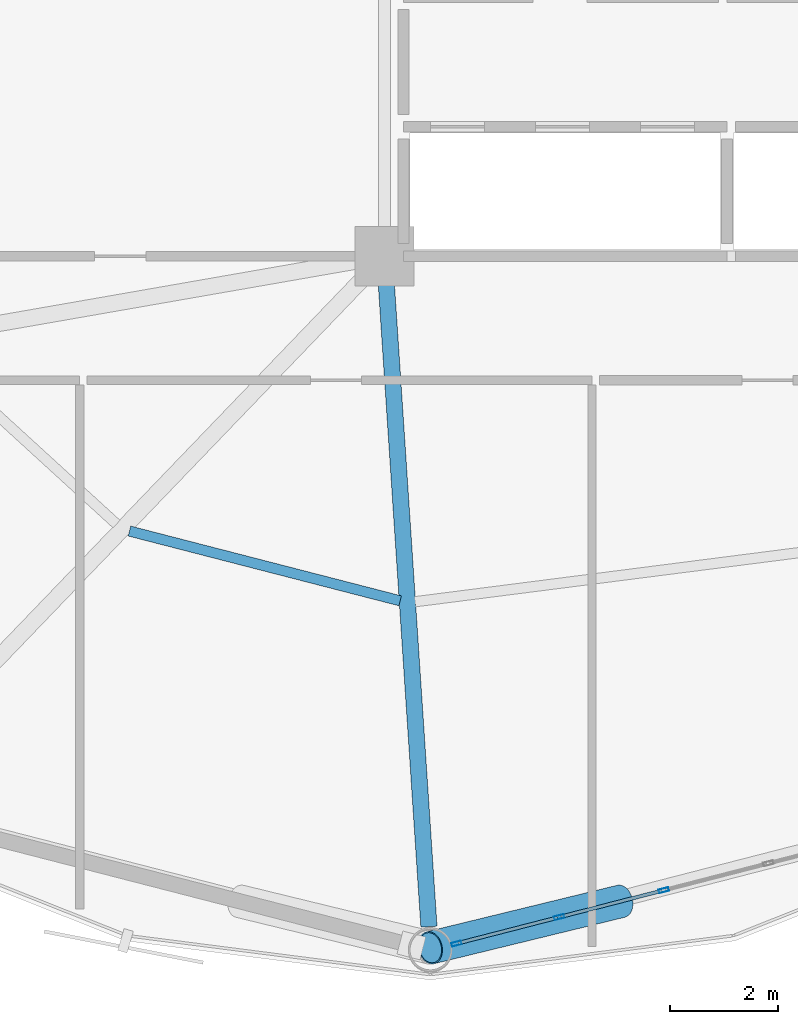
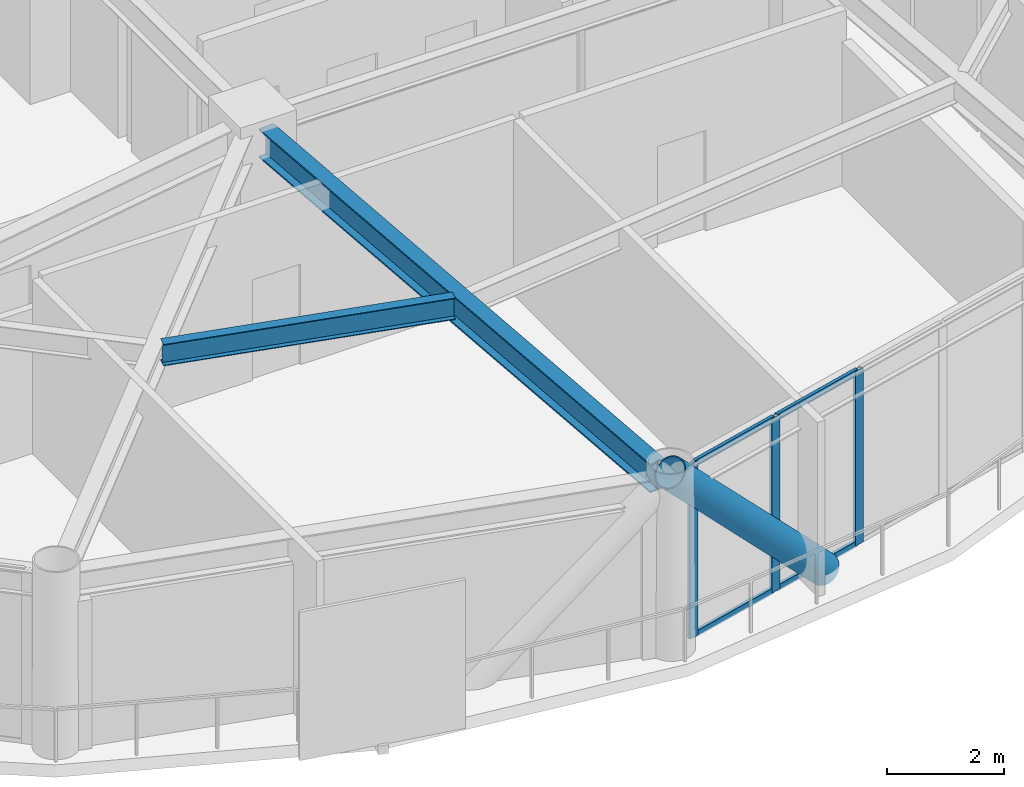
# One storey, part 6 of 24: 8 members, 2 beams, 1 element without a shape of its own.
"""IFC4 building model written with IfcOpenShell, lengths in metres."""

from ifc_helpers import new_model, si_unit, direction, frame, origin, origin_2d, place, context, subcontext, project, spatial, hollow_rectangle, hollow_circle, i_section, extrude, material, layer, layer_set, material_profile, profile_set, type_object, element, aggregate, save


model = new_model("IFC4")

# Units and contexts
model_context = context("Model", 3, precision=1e-05, world=origin(), true_north=direction((0.0, 1.0)))
body_context = subcontext(model_context, "Body", "Model", "MODEL_VIEW")
ifc_project = project(units=[si_unit("LENGTHUNIT", "METRE"), si_unit("AREAUNIT", "SQUARE_METRE"), si_unit("VOLUMEUNIT", "CUBIC_METRE"), si_unit("PLANEANGLEUNIT", "RADIAN"), si_unit("MASSUNIT", "GRAM", prefix="KILO")], contexts=[model_context])

# Site, building, storey
site_placement = place(None, origin())
site = spatial("IfcSite", under=ifc_project, at=site_placement, CompositionType="ELEMENT")
building_placement = place(site_placement, origin())
building = spatial("IfcBuilding", under=site, at=building_placement, Name="Varnakorn Sky Granary", CompositionType="ELEMENT")
storey_placement = place(building_placement, frame((0.0, 0.0, 118.800048828125)))
storey = spatial("IfcBuildingStorey", under=building, at=storey_placement, Name="L29", CompositionType="ELEMENT", Elevation=118.800048828125)

# Beams
ifc_material_1 = material(Name="Steel S355JR", Category="steel")
ifc_material_profile_1 = material_profile(ifc_material_1, i_section(OverallWidth=0.300048828125, OverallDepth=0.60009765625, WebThickness=0.015380859375, FlangeThickness=0.030029296875, at=origin_2d()), Name="HE 600 B")
ifc_profile_set_1 = profile_set([ifc_material_profile_1], Name="Steel S355JR")
beam_type_1 = type_object("IfcBeamType", Name="BM-RAD-Z2", PredefinedType="BEAM", material=ifc_profile_set_1)
beam_1_placement = place(storey_placement, frame((-2.322265625, -7.01904296875, 3.33984375), z_axis=(0.066156907963, -0.997809232032, 0.0), x_axis=(0.997809232032, 0.066156907963, 0.0)))
element("IfcBeam", 1, at=beam_1_placement, inside=storey, type_object=beam_type_1, Name="Radial Floor Girder RG10 L29", PredefinedType="BEAM", context=body_context, shape_type="SweptSolid", body=[
    extrude(i_section(OverallWidth=0.300048828125, OverallDepth=0.60009765625, WebThickness=0.015380859375, FlangeThickness=0.030029296875, at=origin_2d()), origin(), (0.0, 0.0, 1.0), 12.037841796875),
])
ifc_material_profile_2 = material_profile(ifc_material_1, i_section(OverallWidth=0.18994140625, OverallDepth=0.449951171875, WebThickness=0.009521484375, FlangeThickness=0.0146484375, at=origin_2d()), Name="IPE 450")
ifc_profile_set_2 = profile_set([ifc_material_profile_2], Name="Steel S355JR")
beam_type_2 = type_object("IfcBeamType", Name="BM-SEC-Z2", PredefinedType="BEAM", material=ifc_profile_set_2)
beam_2_placement = place(storey_placement, frame((-7.077880859375, -11.6962890625, 3.4150390625), z_axis=(0.968351554294, -0.249590198718, 0.0), x_axis=(0.249590198718, 0.968351554294, 0.0)))
element("IfcBeam", 2, at=beam_2_placement, inside=storey, type_object=beam_type_2, Name="Secondary Floor Chord Beam MSB09 L29", PredefinedType="BEAM", context=body_context, shape_type="SweptSolid", body=[
    extrude(i_section(OverallWidth=0.18994140625, OverallDepth=0.449951171875, WebThickness=0.009521484375, FlangeThickness=0.0146484375, at=origin_2d()), origin(), (0.0, 0.0, 1.0), 5.182373046875),
])

# Curtain wall, members
ifc_material_2 = material(Name="Anodised Bronze Aluminium Alloy 6063-T6", Category="aluminium")
ifc_layer = layer(ifc_material_2, 0.179931640625, Name="Anodised Bronze Aluminium Alloy 6063-T6")
ifc_layer_set = layer_set([ifc_layer], Name="Anodised Bronze Aluminium Alloy 6063-T6")
curtain_wall_type = type_object("IfcCurtainWallType", Name="CW-FRM-2", PredefinedType="USERDEFINED", material=ifc_layer_set)
curtain_wall_placement = place(storey_placement, origin())
curtain_wall = element("IfcCurtainWall", 3, at=curtain_wall_placement, inside=storey, type_object=curtain_wall_type, Name="Unitised Curtain Wall CW4 CW-L29-B10", ObjectType="CURTAIN WALL", PredefinedType="USERDEFINED")
ifc_material_profile_3 = material_profile(ifc_material_2, hollow_rectangle(XDim=0.070068359375, YDim=0.18505859375, WallThickness=0.00390625, at=origin_2d()), Name="ALU MULL 70x185")
ifc_profile_set_3 = profile_set([ifc_material_profile_3], Name="Anodised Bronze Aluminium Alloy 6063-T6")
member_type_1 = type_object("IfcMemberType", Name="CW-FRM-2-MULL", PredefinedType="MULLION", material=ifc_profile_set_3)
member_1_placement = place(storey_placement, frame((2.82666015625, -18.355712890625, 0.0), z_axis=(0.0, 0.0, 1.0), x_axis=(0.249196159106, -0.968453031534, 0.0)))
member_1 = element("IfcMember", 4, at=member_1_placement, type_object=member_type_1, Name="CW4 mullion 4", PredefinedType="MULLION", context=body_context, shape_type="SweptSolid", body=[
    extrude(hollow_rectangle(XDim=0.070068359375, YDim=0.18505859375, WallThickness=0.00390625, at=origin_2d()), origin(), (0.0, 0.0, 1.0), 3.639892578125),
])
member_2_placement = place(storey_placement, frame((0.88916015625, -18.854248046875, 0.0), z_axis=(0.0, 0.0, 1.0), x_axis=(0.249196159106, -0.968453031534, 0.0)))
member_2 = element("IfcMember", 5, at=member_2_placement, type_object=member_type_1, Name="CW4 mullion 5", PredefinedType="MULLION", context=body_context, shape_type="SweptSolid", body=[
    extrude(hollow_rectangle(XDim=0.070068359375, YDim=0.18505859375, WallThickness=0.00390625, at=origin_2d()), origin(), (0.0, 0.0, 1.0), 3.639892578125),
])
member_3_placement = place(storey_placement, frame((-1.014404296875, -19.343994140625, 0.0), z_axis=(0.0, 0.0, 1.0), x_axis=(0.249196159106, -0.968453031534, 0.0)))
member_3 = element("IfcMember", 6, at=member_3_placement, type_object=member_type_1, Name="CW4 mullion 6", PredefinedType="MULLION", context=body_context, shape_type="SweptSolid", body=[
    extrude(hollow_rectangle(XDim=0.070068359375, YDim=0.18505859375, WallThickness=0.00390625, at=origin_2d()), origin(), (0.0, 0.0, 1.0), 3.639892578125),
])
ifc_material_profile_4 = material_profile(ifc_material_2, hollow_rectangle(XDim=0.06494140625, YDim=0.1201171875, WallThickness=0.00341796875, at=origin_2d()), Name="ALU TRAN 65x120")
ifc_profile_set_4 = profile_set([ifc_material_profile_4], Name="Anodised Bronze Aluminium Alloy 6063-T6")
member_type_2 = type_object("IfcMemberType", Name="CW-FRM-2-TRAN", PredefinedType="USERDEFINED", material=ifc_profile_set_4)
member_4_placement = place(storey_placement, frame((2.79296875, -18.3642578125, 0.032470703125), z_axis=(-0.968445861329, -0.249224023068, 0.0), x_axis=(0.249224023068, -0.968445861329, 0.0)))
member_4 = element("IfcMember", 7, at=member_4_placement, type_object=member_type_2, Name="CW4 transom 4.1", ObjectType="TRANSOM", PredefinedType="USERDEFINED", context=body_context, shape_type="SweptSolid", body=[
    extrude(hollow_rectangle(XDim=0.06494140625, YDim=0.1201171875, WallThickness=0.00341796875, at=origin_2d()), origin(), (0.0, 0.0, 1.0), 1.930908203125),
])
member_5_placement = place(storey_placement, frame((2.79296875, -18.3642578125, 3.607421875), z_axis=(-0.968445861329, -0.249224023068, 0.0), x_axis=(0.249224023068, -0.968445861329, 0.0)))
member_5 = element("IfcMember", 8, at=member_5_placement, type_object=member_type_2, Name="CW4 transom 4.2", ObjectType="TRANSOM", PredefinedType="USERDEFINED", context=body_context, shape_type="SweptSolid", body=[
    extrude(hollow_rectangle(XDim=0.06494140625, YDim=0.1201171875, WallThickness=0.00341796875, at=origin_2d()), origin(), (0.0, 0.0, 1.0), 1.930908203125),
])
member_6_placement = place(storey_placement, frame((0.85546875, -18.86279296875, 0.032470703125), z_axis=(-0.96845298341, -0.24919634613, 0.0), x_axis=(0.24919634613, -0.96845298341, 0.0)))
member_6 = element("IfcMember", 9, at=member_6_placement, type_object=member_type_2, Name="CW4 transom 5.1", ObjectType="TRANSOM", PredefinedType="USERDEFINED", context=body_context, shape_type="SweptSolid", body=[
    extrude(hollow_rectangle(XDim=0.06494140625, YDim=0.1201171875, WallThickness=0.00341796875, at=origin_2d()), origin(), (0.0, 0.0, 1.0), 1.895751953125),
])
member_7_placement = place(storey_placement, frame((0.85546875, -18.86279296875, 3.607421875), z_axis=(-0.96845298341, -0.24919634613, 0.0), x_axis=(0.24919634613, -0.96845298341, 0.0)))
member_7 = element("IfcMember", 10, at=member_7_placement, type_object=member_type_2, Name="CW4 transom 5.2", ObjectType="TRANSOM", PredefinedType="USERDEFINED", context=body_context, shape_type="SweptSolid", body=[
    extrude(hollow_rectangle(XDim=0.06494140625, YDim=0.1201171875, WallThickness=0.00341796875, at=origin_2d()), origin(), (0.0, 0.0, 1.0), 1.895751953125),
])
aggregate(curtain_wall, [member_1, member_2, member_3, member_4, member_5, member_6, member_7])

# Member
ifc_material_3 = material(Name="Steel S460M", Category="steel")
ifc_material_profile_5 = material_profile(ifc_material_3, hollow_circle(Radius=0.304931640625, WallThickness=0.022216796875, at=origin_2d()), Name="CHS 610x22")
ifc_profile_set_5 = profile_set([ifc_material_profile_5], Name="Steel S460M")
member_type_3 = type_object("IfcMemberType", Name="MB-DIAG-T1", PredefinedType="BRACE", material=ifc_profile_set_5)
member_8_placement = place(storey_placement, frame((2.0302734375, -18.560546875, -0.130126953125), z_axis=(-0.674226231, -0.164313501939, 0.720013932165), x_axis=(0.236776751922, -0.971564084221, 0.0)))
element("IfcMember", 11, at=member_8_placement, inside=storey, type_object=member_type_3, Name="Perimeter CHS Diagrid Brace DG10 L29", PredefinedType="BRACE", context=body_context, shape_type="SweptSolid", body=[
    extrude(hollow_circle(Radius=0.304931640625, WallThickness=0.022216796875, at=origin_2d()), origin(), (0.0, 0.0, 1.0), 5.236083984375),
])

save(model, "model.ifc")
